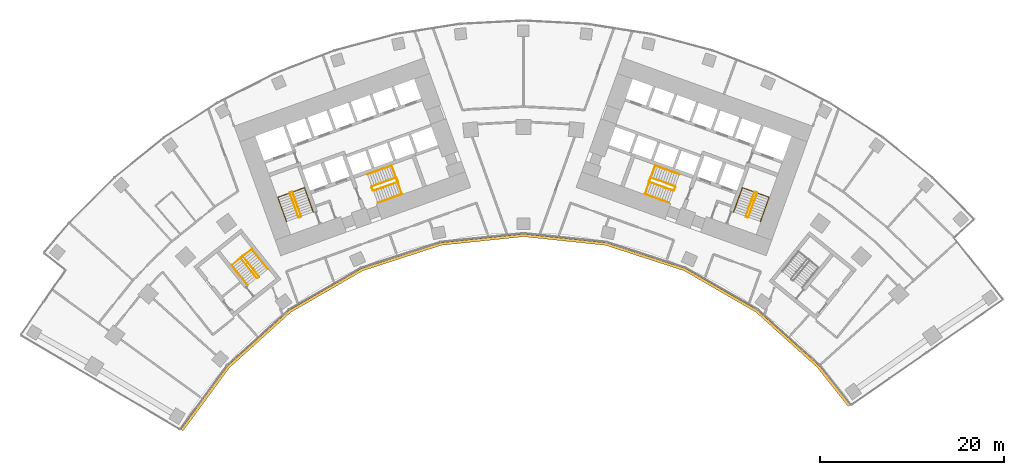
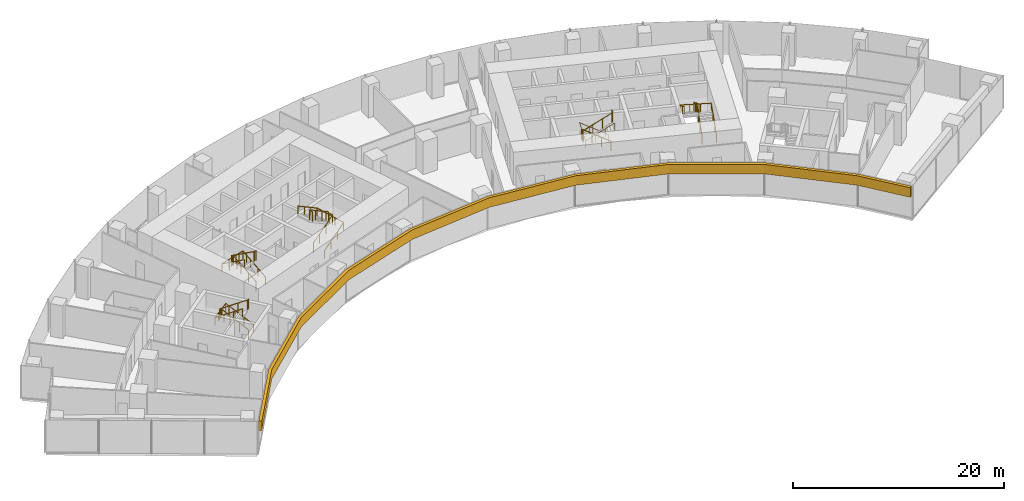
# One storey, part 20 of 21: 15 railings, 1 covering.
"""IFC4 building model written with IfcOpenShell, lengths in metres."""

from ifc_helpers import new_model, si_unit, direction, frame, origin, origin_2d, place, context, subcontext, project, spatial, polyline, circle, outline, extrude, material, layer, layer_set, type_object, element, save


model = new_model("IFC4")

# Units and contexts
model_context = context("Model", 3, precision=1e-05, world=origin(), true_north=direction((0.0, 1.0)))
body_context = subcontext(model_context, "Body", "Model", "MODEL_VIEW")
ifc_project = project(units=[si_unit("LENGTHUNIT", "METRE"), si_unit("AREAUNIT", "SQUARE_METRE"), si_unit("VOLUMEUNIT", "CUBIC_METRE"), si_unit("PLANEANGLEUNIT", "RADIAN"), si_unit("MASSUNIT", "GRAM", prefix="KILO")], contexts=[model_context])

# Site, building, storey
site_placement = place(None, origin())
site = spatial("IfcSite", under=ifc_project, at=site_placement, CompositionType="ELEMENT")
building_placement = place(site_placement, origin())
building = spatial("IfcBuilding", under=site, at=building_placement, Name="Stone Belt Terrace Tower", CompositionType="ELEMENT")
storey_placement = place(building_placement, frame((0.0, 0.0, 60.39990234375)))
storey = spatial("IfcBuildingStorey", under=building, at=storey_placement, Name="L14", CompositionType="ELEMENT", Elevation=60.39990234375)

# Railings
ifc_material_1 = material(Name="Structural steel C345", Category="steel")
railing_type_1 = type_object("IfcRailingType", Name="Stair guard 1100", PredefinedType="GUARDRAIL", material=ifc_material_1)
railing_1_placement = place(storey_placement, frame((-24.2119140625, 45.276123046875, 0.1728515625)))
element("IfcRailing", 1, at=railing_1_placement, inside=storey, type_object=railing_type_1, Name="L14 ST1A stair guard 1", PredefinedType="GUARDRAIL", context=body_context, shape_type="SweptSolid", body=[
    extrude(circle(Radius=0.02392578125, at=origin_2d()), frame((0.0, 0.0, 1.076171875), z_axis=(-0.288228637646, 0.800791768495, 0.525030280985), x_axis=(-0.940908529223, -0.338660803216, 0.0)), (0.0, 0.0, 1.0), 3.289794921875),
    extrude(circle(Radius=0.02392578125, at=origin_2d()), frame((-0.9482421875, 2.634521484375, 2.80322265625), z_axis=(-0.905209821074, 0.424964916, 0.0), x_axis=(-0.424964916, -0.905209821074, 0.0)), (0.0, 0.0, 1.0), 0.070556640625),
    extrude(circle(Radius=0.02392578125, at=origin_2d()), frame((-1.01220703125, 2.66455078125, 2.80322265625), z_axis=(-0.941105063269, -0.338114270461, 0.0), x_axis=(0.338114270461, -0.941105063269, 0.0)), (0.0, 0.0, 1.0), 0.199951171875),
    extrude(circle(Radius=0.02099609375, at=origin_2d()), origin(), (0.0, 0.0, 1.0), 1.052001953125),
    extrude(circle(Radius=0.02099609375, at=origin_2d()), frame((-0.316162109375, 0.878173828125, 0.57568359375)), (0.0, 0.0, 1.0), 1.052001953125),
    extrude(circle(Radius=0.02099609375, at=origin_2d()), frame((-0.632080078125, 1.75634765625, 1.151611328125)), (0.0, 0.0, 1.0), 1.052001953125),
    extrude(circle(Radius=0.02099609375, at=origin_2d()), frame((-0.9482421875, 2.634521484375, 1.727294921875)), (0.0, 0.0, 1.0), 1.052001953125),
    extrude(circle(Radius=0.02099609375, at=origin_2d()), frame((-1.01220703125, 2.66455078125, 1.727294921875)), (0.0, 0.0, 1.0), 1.052001953125),
    extrude(circle(Radius=0.02099609375, at=origin_2d()), frame((-1.200439453125, 2.596923828125, 1.727294921875)), (0.0, 0.0, 1.0), 1.052001953125),
])
railing_2_placement = place(storey_placement, frame((-25.4423828125, 47.80908203125, 2.07275390625)))
element("IfcRailing", 2, at=railing_2_placement, inside=storey, type_object=railing_type_1, Name="L14 ST1A stair guard 2", PredefinedType="GUARDRAIL", context=body_context, shape_type="SweptSolid", body=[
    extrude(circle(Radius=0.02392578125, at=origin_2d()), frame((0.0, 0.0, 1.076171875), z_axis=(0.288228637646, -0.800791768495, 0.525030280985), x_axis=(0.940908529223, 0.338660803216, 0.0)), (0.0, 0.0, 1.0), 3.289794921875),
    extrude(circle(Radius=0.02392578125, at=origin_2d()), frame((0.9482421875, -2.634521484375, 2.80322265625), z_axis=(0.903878284585, -0.427789722475, 0.0), x_axis=(0.427789722475, 0.903878284585, 0.0)), (0.0, 0.0, 1.0), 0.07080078125),
    extrude(circle(Radius=0.02392578125, at=origin_2d()), frame((1.01220703125, -2.664794921875, 2.80322265625), z_axis=(0.940575576748, 0.339584429008, 0.0), x_axis=(-0.339584429008, 0.940575576748, 0.0)), (0.0, 0.0, 1.0), 0.199951171875),
    extrude(circle(Radius=0.02099609375, at=origin_2d()), origin(), (0.0, 0.0, 1.0), 1.052001953125),
    extrude(circle(Radius=0.02099609375, at=origin_2d()), frame((0.316162109375, -0.878173828125, 0.57568359375)), (0.0, 0.0, 1.0), 1.052001953125),
    extrude(circle(Radius=0.02099609375, at=origin_2d()), frame((0.632080078125, -1.75634765625, 1.151611328125)), (0.0, 0.0, 1.0), 1.052001953125),
    extrude(circle(Radius=0.02099609375, at=origin_2d()), frame((0.9482421875, -2.634521484375, 1.727294921875)), (0.0, 0.0, 1.0), 1.052001953125),
    extrude(circle(Radius=0.02099609375, at=origin_2d()), frame((1.01220703125, -2.664794921875, 1.727294921875)), (0.0, 0.0, 1.0), 1.052001953125),
    extrude(circle(Radius=0.02099609375, at=origin_2d()), frame((1.2001953125, -2.596923828125, 1.727294921875)), (0.0, 0.0, 1.0), 1.052001953125),
])
railing_3_placement = place(storey_placement, frame((-16.33837890625, 48.056640625, 0.1728515625)))
element("IfcRailing", 3, at=railing_3_placement, inside=storey, type_object=railing_type_1, Name="L14 ST2A stair guard 1", PredefinedType="GUARDRAIL", context=body_context, shape_type="SweptSolid", body=[
    extrude(circle(Radius=0.02392578125, at=origin_2d()), frame((0.0, 0.0, 1.076171875), z_axis=(0.800808895155, 0.288160591223, 0.52504150989), x_axis=(-0.338583606334, 0.940936311087, 0.0)), (0.0, 0.0, 1.0), 3.289794921875),
    extrude(circle(Radius=0.02392578125, at=origin_2d()), frame((2.634521484375, 0.947998046875, 2.80322265625), z_axis=(0.427789722475, 0.903878284585, 0.0), x_axis=(-0.903878284585, 0.427789722475, 0.0)), (0.0, 0.0, 1.0), 0.07080078125),
    extrude(circle(Radius=0.02392578125, at=origin_2d()), frame((2.664794921875, 1.011962890625, 2.80322265625), z_axis=(-0.338654645739, 0.940910745459, 0.0), x_axis=(-0.940910745459, -0.338654645739, 0.0)), (0.0, 0.0, 1.0), 0.400146484375),
    extrude(circle(Radius=0.02099609375, at=origin_2d()), origin(), (0.0, 0.0, 1.0), 1.052001953125),
    extrude(circle(Radius=0.02099609375, at=origin_2d()), frame((0.878173828125, 0.31591796875, 0.57568359375)), (0.0, 0.0, 1.0), 1.052001953125),
    extrude(circle(Radius=0.02099609375, at=origin_2d()), frame((1.75634765625, 0.632080078125, 1.151611328125)), (0.0, 0.0, 1.0), 1.052001953125),
    extrude(circle(Radius=0.02099609375, at=origin_2d()), frame((2.634521484375, 0.947998046875, 1.727294921875)), (0.0, 0.0, 1.0), 1.052001953125),
    extrude(circle(Radius=0.02099609375, at=origin_2d()), frame((2.664794921875, 1.011962890625, 1.727294921875)), (0.0, 0.0, 1.0), 1.052001953125),
    extrude(circle(Radius=0.02099609375, at=origin_2d()), frame((2.529296875, 1.388427734375, 1.727294921875)), (0.0, 0.0, 1.0), 1.052001953125),
])
railing_4_placement = place(storey_placement, frame((-13.873046875, 49.47509765625, 2.07275390625)))
element("IfcRailing", 4, at=railing_4_placement, inside=storey, type_object=railing_type_1, Name="L14 ST2A stair guard 2", PredefinedType="GUARDRAIL", context=body_context, shape_type="SweptSolid", body=[
    extrude(circle(Radius=0.02392578125, at=origin_2d()), frame((0.0, 0.0, 1.076171875), z_axis=(-0.800808895155, -0.288160591223, 0.52504150989), x_axis=(0.338583606334, -0.940936311087, 0.0)), (0.0, 0.0, 1.0), 3.289794921875),
    extrude(circle(Radius=0.02392578125, at=origin_2d()), frame((-2.634521484375, -0.947998046875, 2.80322265625), z_axis=(-0.427789722475, -0.903878284585, 0.0), x_axis=(0.903878284585, -0.427789722475, 0.0)), (0.0, 0.0, 1.0), 0.07080078125),
    extrude(circle(Radius=0.02392578125, at=origin_2d()), frame((-2.664794921875, -1.011962890625, 2.80322265625), z_axis=(0.338654645739, -0.940910745459, 0.0), x_axis=(0.940910745459, 0.338654645739, 0.0)), (0.0, 0.0, 1.0), 0.400146484375),
    extrude(circle(Radius=0.02099609375, at=origin_2d()), origin(), (0.0, 0.0, 1.0), 1.052001953125),
    extrude(circle(Radius=0.02099609375, at=origin_2d()), frame((-0.878173828125, -0.31591796875, 0.57568359375)), (0.0, 0.0, 1.0), 1.052001953125),
    extrude(circle(Radius=0.02099609375, at=origin_2d()), frame((-1.75634765625, -0.632080078125, 1.151611328125)), (0.0, 0.0, 1.0), 1.052001953125),
    extrude(circle(Radius=0.02099609375, at=origin_2d()), frame((-2.634521484375, -0.947998046875, 1.727294921875)), (0.0, 0.0, 1.0), 1.052001953125),
    extrude(circle(Radius=0.02099609375, at=origin_2d()), frame((-2.664794921875, -1.011962890625, 1.727294921875)), (0.0, 0.0, 1.0), 1.052001953125),
    extrude(circle(Radius=0.02099609375, at=origin_2d()), frame((-2.529296875, -1.388427734375, 1.727294921875)), (0.0, 0.0, 1.0), 1.052001953125),
])
railing_5_placement = place(storey_placement, frame((24.494140625, 45.174560546875, 0.1728515625)))
element("IfcRailing", 5, at=railing_5_placement, inside=storey, type_object=railing_type_1, Name="L14 ST1B stair guard 1", PredefinedType="GUARDRAIL", context=body_context, shape_type="SweptSolid", body=[
    extrude(circle(Radius=0.02392578125, at=origin_2d()), frame((0.0, 0.0, 1.076171875), z_axis=(0.288228637646, 0.800791768495, 0.525030280985), x_axis=(-0.940908529223, 0.338660803216, 0.0)), (0.0, 0.0, 1.0), 3.289794921875),
    extrude(circle(Radius=0.02392578125, at=origin_2d()), frame((0.9482421875, 2.634521484375, 2.80322265625), z_axis=(-0.424964916, 0.905209821074, 0.0), x_axis=(-0.905209821074, -0.424964916, 0.0)), (0.0, 0.0, 1.0), 0.070556640625),
    extrude(circle(Radius=0.02392578125, at=origin_2d()), frame((0.918212890625, 2.698486328125, 2.80322265625), z_axis=(-0.941105063269, 0.338114270461, 0.0), x_axis=(-0.338114270461, -0.941105063269, 0.0)), (0.0, 0.0, 1.0), 0.199951171875),
    extrude(circle(Radius=0.02099609375, at=origin_2d()), origin(), (0.0, 0.0, 1.0), 1.052001953125),
    extrude(circle(Radius=0.02099609375, at=origin_2d()), frame((0.316162109375, 0.878173828125, 0.57568359375)), (0.0, 0.0, 1.0), 1.052001953125),
    extrude(circle(Radius=0.02099609375, at=origin_2d()), frame((0.632080078125, 1.75634765625, 1.151611328125)), (0.0, 0.0, 1.0), 1.052001953125),
    extrude(circle(Radius=0.02099609375, at=origin_2d()), frame((0.9482421875, 2.634521484375, 1.727294921875)), (0.0, 0.0, 1.0), 1.052001953125),
    extrude(circle(Radius=0.02099609375, at=origin_2d()), frame((0.918212890625, 2.698486328125, 1.727294921875)), (0.0, 0.0, 1.0), 1.052001953125),
    extrude(circle(Radius=0.02099609375, at=origin_2d()), frame((0.72998046875, 2.76611328125, 1.727294921875)), (0.0, 0.0, 1.0), 1.052001953125),
])
railing_6_placement = place(storey_placement, frame((25.16015625, 47.91064453125, 2.07275390625)))
element("IfcRailing", 6, at=railing_6_placement, inside=storey, type_object=railing_type_1, Name="L14 ST1B stair guard 2", PredefinedType="GUARDRAIL", context=body_context, shape_type="SweptSolid", body=[
    extrude(circle(Radius=0.02392578125, at=origin_2d()), frame((0.0, 0.0, 1.076171875), z_axis=(-0.288228637646, -0.800791768495, 0.525030280985), x_axis=(0.940908529223, -0.338660803216, 0.0)), (0.0, 0.0, 1.0), 3.289794921875),
    extrude(circle(Radius=0.02392578125, at=origin_2d()), frame((-0.9482421875, -2.634521484375, 2.80322265625), z_axis=(0.427789722475, -0.903878284585, 0.0), x_axis=(0.903878284585, 0.427789722475, 0.0)), (0.0, 0.0, 1.0), 0.07080078125),
    extrude(circle(Radius=0.02392578125, at=origin_2d()), frame((-0.91796875, -2.698486328125, 2.80322265625), z_axis=(0.940575576748, -0.339584429008, 0.0), x_axis=(0.339584429008, 0.940575576748, 0.0)), (0.0, 0.0, 1.0), 0.199951171875),
    extrude(circle(Radius=0.02099609375, at=origin_2d()), origin(), (0.0, 0.0, 1.0), 1.052001953125),
    extrude(circle(Radius=0.02099609375, at=origin_2d()), frame((-0.316162109375, -0.878173828125, 0.57568359375)), (0.0, 0.0, 1.0), 1.052001953125),
    extrude(circle(Radius=0.02099609375, at=origin_2d()), frame((-0.632080078125, -1.75634765625, 1.151611328125)), (0.0, 0.0, 1.0), 1.052001953125),
    extrude(circle(Radius=0.02099609375, at=origin_2d()), frame((-0.9482421875, -2.634521484375, 1.727294921875)), (0.0, 0.0, 1.0), 1.052001953125),
    extrude(circle(Radius=0.02099609375, at=origin_2d()), frame((-0.91796875, -2.698486328125, 1.727294921875)), (0.0, 0.0, 1.0), 1.052001953125),
    extrude(circle(Radius=0.02099609375, at=origin_2d()), frame((-0.72998046875, -2.766357421875, 1.727294921875)), (0.0, 0.0, 1.0), 1.052001953125),
])
railing_7_placement = place(storey_placement, frame((16.507568359375, 48.527099609375, 0.1728515625)))
element("IfcRailing", 7, at=railing_7_placement, inside=storey, type_object=railing_type_1, Name="L14 ST2B stair guard 1", PredefinedType="GUARDRAIL", context=body_context, shape_type="SweptSolid", body=[
    extrude(circle(Radius=0.02392578125, at=origin_2d()), frame((0.0, 0.0, 1.076171875), z_axis=(-0.800808895155, 0.288160591223, 0.52504150989), x_axis=(-0.338583606334, -0.940936311087, 0.0)), (0.0, 0.0, 1.0), 3.289794921875),
    extrude(circle(Radius=0.02392578125, at=origin_2d()), frame((-2.634521484375, 0.947998046875, 2.80322265625), z_axis=(-0.905209821074, -0.424964916, 0.0), x_axis=(0.424964916, -0.905209821074, 0.0)), (0.0, 0.0, 1.0), 0.070556640625),
    extrude(circle(Radius=0.02392578125, at=origin_2d()), frame((-2.698486328125, 0.91796875, 2.80322265625), z_axis=(-0.338654645739, -0.940910745459, 0.0), x_axis=(0.940910745459, -0.338654645739, 0.0)), (0.0, 0.0, 1.0), 0.400146484375),
    extrude(circle(Radius=0.02099609375, at=origin_2d()), origin(), (0.0, 0.0, 1.0), 1.052001953125),
    extrude(circle(Radius=0.02099609375, at=origin_2d()), frame((-0.878173828125, 0.31591796875, 0.57568359375)), (0.0, 0.0, 1.0), 1.052001953125),
    extrude(circle(Radius=0.02099609375, at=origin_2d()), frame((-1.75634765625, 0.632080078125, 1.151611328125)), (0.0, 0.0, 1.0), 1.052001953125),
    extrude(circle(Radius=0.02099609375, at=origin_2d()), frame((-2.634521484375, 0.947998046875, 1.727294921875)), (0.0, 0.0, 1.0), 1.052001953125),
    extrude(circle(Radius=0.02099609375, at=origin_2d()), frame((-2.698486328125, 0.91796875, 1.727294921875)), (0.0, 0.0, 1.0), 1.052001953125),
    extrude(circle(Radius=0.02099609375, at=origin_2d()), frame((-2.833984375, 0.54150390625, 1.727294921875)), (0.0, 0.0, 1.0), 1.052001953125),
])
railing_8_placement = place(storey_placement, frame((13.703857421875, 49.004638671875, 2.07275390625)))
element("IfcRailing", 8, at=railing_8_placement, inside=storey, type_object=railing_type_1, Name="L14 ST2B stair guard 2", PredefinedType="GUARDRAIL", context=body_context, shape_type="SweptSolid", body=[
    extrude(circle(Radius=0.02392578125, at=origin_2d()), frame((0.0, 0.0, 1.076171875), z_axis=(0.800808895155, -0.288160591223, 0.52504150989), x_axis=(0.338583606334, 0.940936311087, 0.0)), (0.0, 0.0, 1.0), 3.289794921875),
    extrude(circle(Radius=0.02392578125, at=origin_2d()), frame((2.634521484375, -0.947998046875, 2.80322265625), z_axis=(0.905209821074, 0.424964916, 0.0), x_axis=(-0.424964916, 0.905209821074, 0.0)), (0.0, 0.0, 1.0), 0.070556640625),
    extrude(circle(Radius=0.02392578125, at=origin_2d()), frame((2.698486328125, -0.91796875, 2.80322265625), z_axis=(0.338654645739, 0.940910745459, 0.0), x_axis=(-0.940910745459, 0.338654645739, 0.0)), (0.0, 0.0, 1.0), 0.400146484375),
    extrude(circle(Radius=0.02099609375, at=origin_2d()), origin(), (0.0, 0.0, 1.0), 1.052001953125),
    extrude(circle(Radius=0.02099609375, at=origin_2d()), frame((0.878173828125, -0.31591796875, 0.57568359375)), (0.0, 0.0, 1.0), 1.052001953125),
    extrude(circle(Radius=0.02099609375, at=origin_2d()), frame((1.75634765625, -0.632080078125, 1.151611328125)), (0.0, 0.0, 1.0), 1.052001953125),
    extrude(circle(Radius=0.02099609375, at=origin_2d()), frame((2.634521484375, -0.947998046875, 1.727294921875)), (0.0, 0.0, 1.0), 1.052001953125),
    extrude(circle(Radius=0.02099609375, at=origin_2d()), frame((2.698486328125, -0.91796875, 1.727294921875)), (0.0, 0.0, 1.0), 1.052001953125),
    extrude(circle(Radius=0.02099609375, at=origin_2d()), frame((2.833984375, -0.54150390625, 1.727294921875)), (0.0, 0.0, 1.0), 1.052001953125),
])
railing_9_placement = place(storey_placement, frame((-28.814208984375, 38.734619140625, 0.1728515625)))
element("IfcRailing", 9, at=railing_9_placement, inside=storey, type_object=railing_type_1, Name="L14 ST3A stair guard 1", PredefinedType="GUARDRAIL", context=body_context, shape_type="SweptSolid", body=[
    extrude(circle(Radius=0.02392578125, at=origin_2d()), frame((0.0, 0.0, 1.076171875), z_axis=(-0.530306321799, 0.665665785969, 0.525037395288), x_axis=(-0.782143211408, -0.623098705543, 0.0)), (0.0, 0.0, 1.0), 3.289794921875),
    extrude(circle(Radius=0.02392578125, at=origin_2d()), frame((-1.74462890625, 2.18994140625, 2.80322265625), z_axis=(-0.993883734674, 0.110431526075, 0.0), x_axis=(-0.110431526075, -0.993883734674, 0.0)), (0.0, 0.0, 1.0), 0.07080078125),
    extrude(circle(Radius=0.02392578125, at=origin_2d()), frame((-1.81494140625, 2.19775390625, 2.80322265625), z_axis=(-0.782533463299, -0.622608527742, 0.0), x_axis=(0.622608527742, -0.782533463299, 0.0)), (0.0, 0.0, 1.0), 0.199951171875),
    extrude(circle(Radius=0.02099609375, at=origin_2d()), origin(), (0.0, 0.0, 1.0), 1.052001953125),
    extrude(circle(Radius=0.02099609375, at=origin_2d()), frame((-0.58154296875, 0.72998046875, 0.57568359375)), (0.0, 0.0, 1.0), 1.052001953125),
    extrude(circle(Radius=0.02099609375, at=origin_2d()), frame((-1.1630859375, 1.4599609375, 1.151611328125)), (0.0, 0.0, 1.0), 1.052001953125),
    extrude(circle(Radius=0.02099609375, at=origin_2d()), frame((-1.74462890625, 2.18994140625, 1.727294921875)), (0.0, 0.0, 1.0), 1.052001953125),
    extrude(circle(Radius=0.02099609375, at=origin_2d()), frame((-1.81494140625, 2.19775390625, 1.727294921875)), (0.0, 0.0, 1.0), 1.052001953125),
    extrude(circle(Radius=0.02099609375, at=origin_2d()), frame((-1.971435546875, 2.0732421875, 1.727294921875)), (0.0, 0.0, 1.0), 1.052001953125),
])
railing_10_placement = place(storey_placement, frame((-30.793701171875, 40.737548828125, 2.07275390625)))
element("IfcRailing", 10, at=railing_10_placement, inside=storey, type_object=railing_type_1, Name="L14 ST3A stair guard 2", PredefinedType="GUARDRAIL", context=body_context, shape_type="SweptSolid", body=[
    extrude(circle(Radius=0.02392578125, at=origin_2d()), frame((0.0, 0.0, 1.076171875), z_axis=(0.530359659125, -0.665639588968, 0.525016732659), x_axis=(0.782100716982, 0.62315204284, 0.0)), (0.0, 0.0, 1.0), 3.2900390625),
    extrude(circle(Radius=0.02392578125, at=origin_2d()), frame((1.744873046875, -2.18994140625, 2.80322265625), z_axis=(0.993499272973, -0.113838458361, 0.0), x_axis=(0.113838458361, 0.993499272973, 0.0)), (0.0, 0.0, 1.0), 0.07080078125),
    extrude(circle(Radius=0.02392578125, at=origin_2d()), frame((1.815185546875, -2.197998046875, 2.80322265625), z_axis=(0.781464082609, 0.623950228458, 0.0), x_axis=(-0.623950228458, 0.781464082609, 0.0)), (0.0, 0.0, 1.0), 0.199951171875),
    extrude(circle(Radius=0.02099609375, at=origin_2d()), origin(), (0.0, 0.0, 1.0), 1.052001953125),
    extrude(circle(Radius=0.02099609375, at=origin_2d()), frame((0.58154296875, -0.72998046875, 0.57568359375)), (0.0, 0.0, 1.0), 1.052001953125),
    extrude(circle(Radius=0.02099609375, at=origin_2d()), frame((1.163330078125, -1.4599609375, 1.151611328125)), (0.0, 0.0, 1.0), 1.052001953125),
    extrude(circle(Radius=0.02099609375, at=origin_2d()), frame((1.744873046875, -2.18994140625, 1.727294921875)), (0.0, 0.0, 1.0), 1.052001953125),
    extrude(circle(Radius=0.02099609375, at=origin_2d()), frame((1.815185546875, -2.197998046875, 1.727294921875)), (0.0, 0.0, 1.0), 1.052001953125),
    extrude(circle(Radius=0.02099609375, at=origin_2d()), frame((1.971435546875, -2.0732421875, 1.727294921875)), (0.0, 0.0, 1.0), 1.052001953125),
])
railing_type_2 = type_object("IfcRailingType", Name="Stair handrail 900", PredefinedType="HANDRAIL", material=ifc_material_1)
railing_11_placement = place(storey_placement, frame((-22.894775390625, 45.750244140625, 0.1728515625)))
element("IfcRailing", 11, at=railing_11_placement, inside=storey, type_object=railing_type_2, Name="L14 ST1A stair handrail 1", PredefinedType="HANDRAIL", context=body_context, shape_type="SweptSolid", body=[
    extrude(circle(Radius=0.02392578125, at=origin_2d()), frame((0.0, 0.0, 0.8759765625), z_axis=(-0.288160591223, 0.800808895155, 0.52504150989), x_axis=(-0.940936311087, -0.338583606334, 0.0)), (0.0, 0.0, 1.0), 3.289794921875),
    extrude(circle(Radius=0.02392578125, at=origin_2d()), frame((-0.947998046875, 2.634521484375, 2.60302734375), z_axis=(-0.939464517435, -0.338106580597, 0.055591012205), x_axis=(0.338630230244, -0.940919532779, 0.0)), (0.0, 0.0, 1.0), 3.10498046875),
    extrude(circle(Radius=0.02392578125, at=origin_2d()), frame((-3.864990234375, 1.584716796875, 2.77587890625), z_axis=(0.288228637646, -0.800791768495, 0.525030280985), x_axis=(0.940908529223, 0.338660803216, 0.0)), (0.0, 0.0, 1.0), 3.289794921875),
    extrude(circle(Radius=0.02099609375, at=origin_2d()), origin(), (0.0, 0.0, 1.0), 0.851806640625),
    extrude(circle(Radius=0.02099609375, at=origin_2d()), frame((-0.31591796875, 0.878173828125, 0.57568359375)), (0.0, 0.0, 1.0), 0.851806640625),
    extrude(circle(Radius=0.02099609375, at=origin_2d()), frame((-0.632080078125, 1.75634765625, 1.151611328125)), (0.0, 0.0, 1.0), 0.851806640625),
    extrude(circle(Radius=0.02099609375, at=origin_2d()), frame((-0.947998046875, 2.634521484375, 1.727294921875)), (0.0, 0.0, 1.0), 0.851806640625),
    extrude(circle(Radius=0.02099609375, at=origin_2d()), frame((-1.92041015625, 2.28466796875, 1.784912109375)), (0.0, 0.0, 1.0), 0.851806640625),
    extrude(circle(Radius=0.02099609375, at=origin_2d()), frame((-2.892578125, 1.9345703125, 1.84228515625)), (0.0, 0.0, 1.0), 0.851806640625),
    extrude(circle(Radius=0.02099609375, at=origin_2d()), frame((-3.864990234375, 1.584716796875, 1.89990234375)), (0.0, 0.0, 1.0), 0.851806640625),
    extrude(circle(Radius=0.02099609375, at=origin_2d()), frame((-3.548828125, 0.70654296875, 2.4755859375)), (0.0, 0.0, 1.0), 0.851806640625),
    extrude(circle(Radius=0.02099609375, at=origin_2d()), frame((-3.23291015625, -0.171630859375, 3.051513671875)), (0.0, 0.0, 1.0), 0.851806640625),
    extrude(circle(Radius=0.02099609375, at=origin_2d()), frame((-2.916748046875, -1.0498046875, 3.627197265625)), (0.0, 0.0, 1.0), 0.851806640625),
])
railing_12_placement = place(storey_placement, frame((-15.8642578125, 46.7392578125, 0.1728515625)))
element("IfcRailing", 12, at=railing_12_placement, inside=storey, type_object=railing_type_2, Name="L14 ST2A stair handrail 1", PredefinedType="HANDRAIL", context=body_context, shape_type="SweptSolid", body=[
    extrude(circle(Radius=0.02392578125, at=origin_2d()), frame((0.0, 0.0, 0.8759765625), z_axis=(0.800791768495, 0.288228637646, 0.525030280985), x_axis=(-0.338660803216, 0.940908529223, 0.0)), (0.0, 0.0, 1.0), 3.289794921875),
    extrude(circle(Radius=0.02392578125, at=origin_2d()), frame((2.634521484375, 0.9482421875, 2.60302734375), z_axis=(-0.338160254016, 0.939637778147, 0.052234935458), x_axis=(-0.940922302781, -0.338622533404, 0.0)), (0.0, 0.0, 1.0), 3.304443359375),
    extrude(circle(Radius=0.02392578125, at=origin_2d()), frame((1.51708984375, 4.05322265625, 2.77587890625), z_axis=(-0.800791768495, -0.288228637646, 0.525030280985), x_axis=(0.338660803216, -0.940908529223, 0.0)), (0.0, 0.0, 1.0), 3.289794921875),
    extrude(circle(Radius=0.02099609375, at=origin_2d()), origin(), (0.0, 0.0, 1.0), 0.851806640625),
    extrude(circle(Radius=0.02099609375, at=origin_2d()), frame((0.878173828125, 0.316162109375, 0.57568359375)), (0.0, 0.0, 1.0), 0.851806640625),
    extrude(circle(Radius=0.02099609375, at=origin_2d()), frame((1.75634765625, 0.632080078125, 1.151611328125)), (0.0, 0.0, 1.0), 0.851806640625),
    extrude(circle(Radius=0.02099609375, at=origin_2d()), frame((2.634521484375, 0.9482421875, 1.727294921875)), (0.0, 0.0, 1.0), 0.851806640625),
    extrude(circle(Radius=0.02099609375, at=origin_2d()), frame((2.261962890625, 1.983154296875, 1.784912109375)), (0.0, 0.0, 1.0), 0.851806640625),
    extrude(circle(Radius=0.02099609375, at=origin_2d()), frame((1.8896484375, 3.018310546875, 1.84228515625)), (0.0, 0.0, 1.0), 0.851806640625),
    extrude(circle(Radius=0.02099609375, at=origin_2d()), frame((1.51708984375, 4.05322265625, 1.89990234375)), (0.0, 0.0, 1.0), 0.851806640625),
    extrude(circle(Radius=0.02099609375, at=origin_2d()), frame((0.638916015625, 3.737060546875, 2.4755859375)), (0.0, 0.0, 1.0), 0.851806640625),
    extrude(circle(Radius=0.02099609375, at=origin_2d()), frame((-0.2392578125, 3.421142578125, 3.051513671875)), (0.0, 0.0, 1.0), 0.851806640625),
    extrude(circle(Radius=0.02099609375, at=origin_2d()), frame((-1.117431640625, 3.10498046875, 3.627197265625)), (0.0, 0.0, 1.0), 0.851806640625),
])
railing_13_placement = place(storey_placement, frame((25.8115234375, 44.700439453125, 0.1728515625)))
element("IfcRailing", 13, at=railing_13_placement, inside=storey, type_object=railing_type_2, Name="L14 ST1B stair handrail 1", PredefinedType="HANDRAIL", context=body_context, shape_type="SweptSolid", body=[
    extrude(circle(Radius=0.02392578125, at=origin_2d()), frame((0.0, 0.0, 0.8759765625), z_axis=(0.288228637646, 0.800791768495, 0.525030280985), x_axis=(-0.940908529223, 0.338660803216, 0.0)), (0.0, 0.0, 1.0), 3.289794921875),
    extrude(circle(Radius=0.02392578125, at=origin_2d()), frame((0.9482421875, 2.634521484375, 2.60302734375), z_axis=(-0.939464517435, 0.338106580597, 0.055591012205), x_axis=(-0.338630230244, -0.940919532779, 0.0)), (0.0, 0.0, 1.0), 3.10498046875),
    extrude(circle(Radius=0.02392578125, at=origin_2d()), frame((-1.96875, 3.684326171875, 2.77587890625), z_axis=(-0.288160591223, -0.800808895155, 0.52504150989), x_axis=(0.940936311087, -0.338583606334, 0.0)), (0.0, 0.0, 1.0), 3.289794921875),
    extrude(circle(Radius=0.02099609375, at=origin_2d()), origin(), (0.0, 0.0, 1.0), 0.851806640625),
    extrude(circle(Radius=0.02099609375, at=origin_2d()), frame((0.316162109375, 0.878173828125, 0.57568359375)), (0.0, 0.0, 1.0), 0.851806640625),
    extrude(circle(Radius=0.02099609375, at=origin_2d()), frame((0.632080078125, 1.75634765625, 1.151611328125)), (0.0, 0.0, 1.0), 0.851806640625),
    extrude(circle(Radius=0.02099609375, at=origin_2d()), frame((0.9482421875, 2.634521484375, 1.727294921875)), (0.0, 0.0, 1.0), 0.851806640625),
    extrude(circle(Radius=0.02099609375, at=origin_2d()), frame((-0.024169921875, 2.984375, 1.784912109375)), (0.0, 0.0, 1.0), 0.851806640625),
    extrude(circle(Radius=0.02099609375, at=origin_2d()), frame((-0.996337890625, 3.33447265625, 1.84228515625)), (0.0, 0.0, 1.0), 0.851806640625),
    extrude(circle(Radius=0.02099609375, at=origin_2d()), frame((-1.96875, 3.684326171875, 1.89990234375)), (0.0, 0.0, 1.0), 0.851806640625),
    extrude(circle(Radius=0.02099609375, at=origin_2d()), frame((-2.28466796875, 2.80615234375, 2.4755859375)), (0.0, 0.0, 1.0), 0.851806640625),
    extrude(circle(Radius=0.02099609375, at=origin_2d()), frame((-2.600830078125, 1.927978515625, 3.051513671875)), (0.0, 0.0, 1.0), 0.851806640625),
    extrude(circle(Radius=0.02099609375, at=origin_2d()), frame((-2.916748046875, 1.0498046875, 3.627197265625)), (0.0, 0.0, 1.0), 0.851806640625),
])
railing_14_placement = place(storey_placement, frame((16.981689453125, 49.84423828125, 0.1728515625)))
element("IfcRailing", 14, at=railing_14_placement, inside=storey, type_object=railing_type_2, Name="L14 ST2B stair handrail 1", PredefinedType="HANDRAIL", context=body_context, shape_type="SweptSolid", body=[
    extrude(circle(Radius=0.02392578125, at=origin_2d()), frame((0.0, 0.0, 0.8759765625), z_axis=(-0.800791768495, 0.288228637646, 0.525030280985), x_axis=(-0.338660803216, -0.940908529223, 0.0)), (0.0, 0.0, 1.0), 3.289794921875),
    extrude(circle(Radius=0.02392578125, at=origin_2d()), frame((-2.634521484375, 0.9482421875, 2.60302734375), z_axis=(-0.338160254016, -0.939637778147, 0.052234935458), x_axis=(0.940922302781, -0.338622533404, 0.0)), (0.0, 0.0, 1.0), 3.304443359375),
    extrude(circle(Radius=0.02392578125, at=origin_2d()), frame((-3.751953125, -2.15673828125, 2.77587890625), z_axis=(0.800791768495, -0.288228637646, 0.525030280985), x_axis=(0.338660803216, 0.940908529223, 0.0)), (0.0, 0.0, 1.0), 3.289794921875),
    extrude(circle(Radius=0.02099609375, at=origin_2d()), origin(), (0.0, 0.0, 1.0), 0.851806640625),
    extrude(circle(Radius=0.02099609375, at=origin_2d()), frame((-0.878173828125, 0.316162109375, 0.57568359375)), (0.0, 0.0, 1.0), 0.851806640625),
    extrude(circle(Radius=0.02099609375, at=origin_2d()), frame((-1.75634765625, 0.632080078125, 1.151611328125)), (0.0, 0.0, 1.0), 0.851806640625),
    extrude(circle(Radius=0.02099609375, at=origin_2d()), frame((-2.634521484375, 0.9482421875, 1.727294921875)), (0.0, 0.0, 1.0), 0.851806640625),
    extrude(circle(Radius=0.02099609375, at=origin_2d()), frame((-3.007080078125, -0.086669921875, 1.784912109375)), (0.0, 0.0, 1.0), 0.851806640625),
    extrude(circle(Radius=0.02099609375, at=origin_2d()), frame((-3.37939453125, -1.121826171875, 1.84228515625)), (0.0, 0.0, 1.0), 0.851806640625),
    extrude(circle(Radius=0.02099609375, at=origin_2d()), frame((-3.751953125, -2.15673828125, 1.89990234375)), (0.0, 0.0, 1.0), 0.851806640625),
    extrude(circle(Radius=0.02099609375, at=origin_2d()), frame((-2.873779296875, -2.472900390625, 2.4755859375)), (0.0, 0.0, 1.0), 0.851806640625),
    extrude(circle(Radius=0.02099609375, at=origin_2d()), frame((-1.99560546875, -2.788818359375, 3.051513671875)), (0.0, 0.0, 1.0), 0.851806640625),
    extrude(circle(Radius=0.02099609375, at=origin_2d()), frame((-1.117431640625, -3.10498046875, 3.627197265625)), (0.0, 0.0, 1.0), 0.851806640625),
])
railing_15_placement = place(storey_placement, frame((-27.836669921875, 39.513427734375, 0.1728515625)))
element("IfcRailing", 15, at=railing_15_placement, inside=storey, type_object=railing_type_2, Name="L14 ST3A stair handrail 1", PredefinedType="HANDRAIL", context=body_context, shape_type="SweptSolid", body=[
    extrude(circle(Radius=0.02392578125, at=origin_2d()), frame((0.0, 0.0, 0.8759765625), z_axis=(-0.530306321799, 0.665665785969, 0.525037395288), x_axis=(-0.782143211408, -0.623098705543, 0.0)), (0.0, 0.0, 1.0), 3.289794921875),
    extrude(circle(Radius=0.02392578125, at=origin_2d()), frame((-1.74462890625, 2.18994140625, 2.60302734375), z_axis=(-0.780661215256, -0.62191806513, 0.061530376721), x_axis=(0.623098705543, -0.782143211408, 0.0)), (0.0, 0.0, 1.0), 2.80517578125),
    extrude(circle(Radius=0.02392578125, at=origin_2d()), frame((-3.9345703125, 0.4453125, 2.77587890625), z_axis=(0.530306321799, -0.665665785969, 0.525037395288), x_axis=(0.782143211408, 0.623098705543, 0.0)), (0.0, 0.0, 1.0), 3.289794921875),
    extrude(circle(Radius=0.02099609375, at=origin_2d()), origin(), (0.0, 0.0, 1.0), 0.851806640625),
    extrude(circle(Radius=0.02099609375, at=origin_2d()), frame((-0.58154296875, 0.72998046875, 0.57568359375)), (0.0, 0.0, 1.0), 0.851806640625),
    extrude(circle(Radius=0.02099609375, at=origin_2d()), frame((-1.1630859375, 1.4599609375, 1.151611328125)), (0.0, 0.0, 1.0), 0.851806640625),
    extrude(circle(Radius=0.02099609375, at=origin_2d()), frame((-1.74462890625, 2.18994140625, 1.727294921875)), (0.0, 0.0, 1.0), 0.851806640625),
    extrude(circle(Radius=0.02099609375, at=origin_2d()), frame((-2.474609375, 1.6083984375, 1.784912109375)), (0.0, 0.0, 1.0), 0.851806640625),
    extrude(circle(Radius=0.02099609375, at=origin_2d()), frame((-3.20458984375, 1.02685546875, 1.84228515625)), (0.0, 0.0, 1.0), 0.851806640625),
    extrude(circle(Radius=0.02099609375, at=origin_2d()), frame((-3.9345703125, 0.4453125, 1.89990234375)), (0.0, 0.0, 1.0), 0.851806640625),
    extrude(circle(Radius=0.02099609375, at=origin_2d()), frame((-3.35302734375, -0.28466796875, 2.4755859375)), (0.0, 0.0, 1.0), 0.851806640625),
    extrude(circle(Radius=0.02099609375, at=origin_2d()), frame((-2.771484375, -1.0146484375, 3.051513671875)), (0.0, 0.0, 1.0), 0.851806640625),
    extrude(circle(Radius=0.02099609375, at=origin_2d()), frame((-2.18994140625, -1.74462890625, 3.627197265625)), (0.0, 0.0, 1.0), 0.851806640625),
])

# Covering
ifc_material_2 = material(Name="Terracotta coloured glazed ceramic", Category="masonry")
ifc_layer = layer(ifc_material_2, 0.300048828125)
ifc_layer_set = layer_set([ifc_layer], Name="Terracotta spandrel band 300 x 1100")
covering_type = type_object("IfcCoveringType", Name="Terracotta spandrel band 300 x 1100", PredefinedType="CLADDING", material=ifc_layer_set)
covering_placement = place(storey_placement, frame((0.0, 0.0, 2.7001953125)))
element("IfcCovering", 16, at=covering_placement, inside=storey, type_object=covering_type, Name="BAND L14", PredefinedType="CLADDING", context=body_context, shape_type="SweptSolid", body=[
    extrude(outline(polyline([(-37.3134765625, 22.068115234375), (-32.215087890625, 29.006103515625), (-25.47998046875, 35.0703125), (-17.631591796875, 39.6015625), (-9.0126953125, 42.40185546875), (0.0, 43.34912109375), (9.0126953125, 42.40185546875), (17.631591796875, 39.6015625), (25.47998046875, 35.0703125), (32.217041015625, 29.004150390625), (35.607666015625, 24.72509765625), (35.37255859375, 24.538818359375), (31.99755859375, 28.798095703125), (25.302734375, 34.826171875), (17.509033203125, 39.325927734375), (8.9501953125, 42.10693359375), (0.0, 43.047607421875), (-8.9501953125, 42.10693359375), (-17.509033203125, 39.325927734375), (-25.302734375, 34.826171875), (-31.991455078125, 28.8037109375), (-37.071533203125, 21.890380859375), (-37.3134765625, 22.068115234375)])), origin(), (0.0, 0.0, 1.0), 1.099853515625),
])

save(model, "model.ifc")
